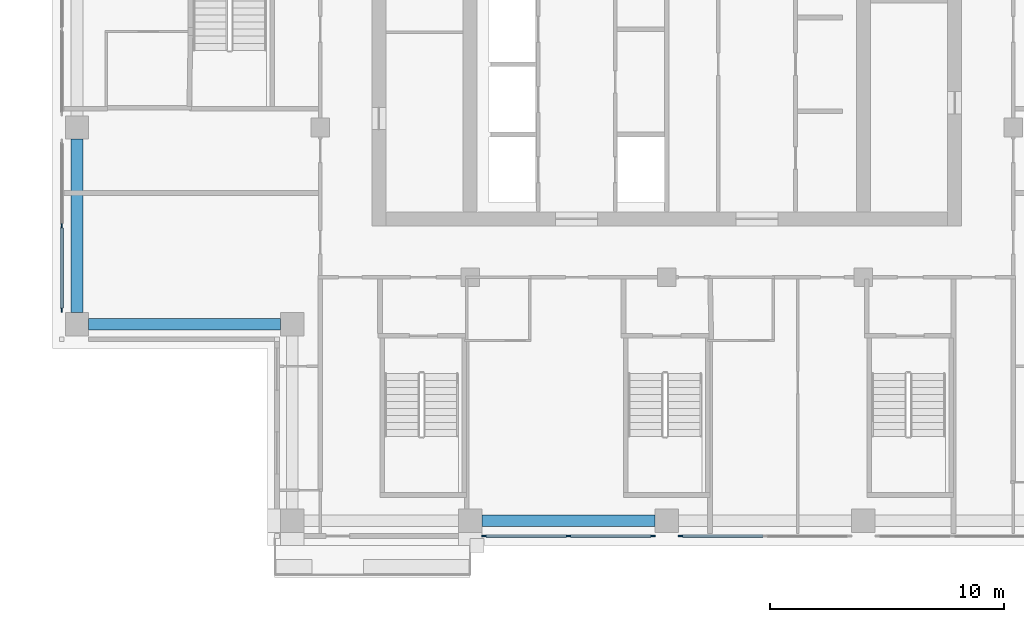
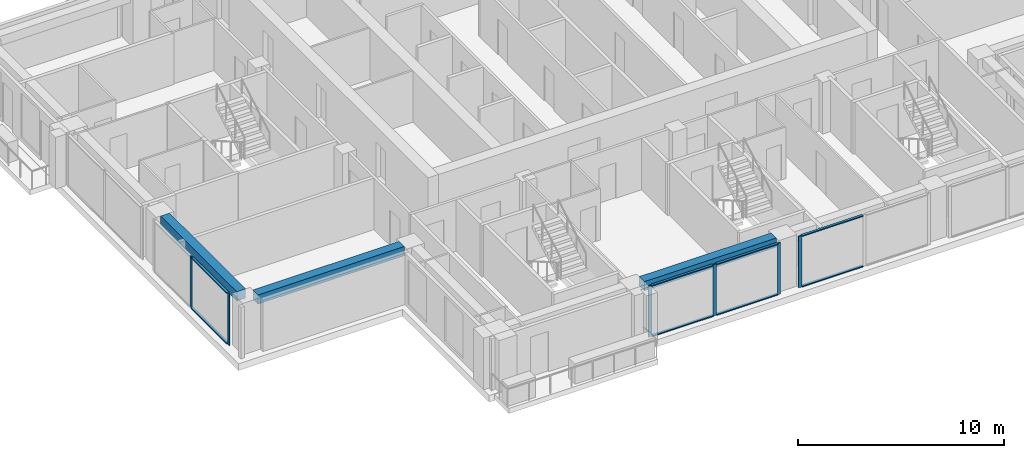
# One storey, part 2 of 16: 14 members, 3 beams, 3 elements without a shape of their own.
"""IFC4 building model written with IfcOpenShell, lengths in metres."""

from ifc_helpers import new_model, si_unit, direction, frame, origin, origin_2d, place, context, subcontext, project, spatial, rectangle, extrude, material, material_profile, profile_set, type_object, element, aggregate, save


model = new_model("IFC4")

# Units and contexts
model_context = context("Model", 3, precision=1e-05, world=origin(), true_north=direction((0.0, 1.0)))
body_context = subcontext(model_context, "Body", "Model", "MODEL_VIEW")
ifc_project = project(units=[si_unit("LENGTHUNIT", "METRE"), si_unit("AREAUNIT", "SQUARE_METRE"), si_unit("VOLUMEUNIT", "CUBIC_METRE"), si_unit("PLANEANGLEUNIT", "RADIAN"), si_unit("MASSUNIT", "GRAM", prefix="KILO")], contexts=[model_context])

# Site, building, storey
site_placement = place(None, origin())
site = spatial("IfcSite", under=ifc_project, at=site_placement, CompositionType="ELEMENT")
building_placement = place(site_placement, origin())
building = spatial("IfcBuilding", under=site, at=building_placement, Name="Vermilion Ogive Tower", CompositionType="ELEMENT")
storey_placement = place(building_placement, frame((0.0, 0.0, 179.0)))
storey = spatial("IfcBuildingStorey", under=building, at=storey_placement, Name="L46", CompositionType="ELEMENT", Elevation=179.0)

# Curtain wall, members
ifc_material_1 = material(Name="Low-iron laminated glazing in aluminium frame", Category="aluminium")
curtain_wall_type = type_object("IfcCurtainWallType", Name="Curtain wall CW7", PredefinedType="NOTDEFINED", material=ifc_material_1)
curtain_wall_1_placement = place(storey_placement, origin())
curtain_wall_1 = element("IfcCurtainWall", 1, at=curtain_wall_1_placement, inside=storey, type_object=curtain_wall_type, Name="Glazed skin S2", PredefinedType="NOTDEFINED")
ifc_material_2 = material(Name="Aluminium mullion", Category="aluminium")
ifc_material_profile_1 = material_profile(ifc_material_2, rectangle(XDim=0.06005859375, YDim=0.179931640625, at=origin_2d()), Name="AL 60x180")
ifc_profile_set_1 = profile_set([ifc_material_profile_1], Name="Aluminium mullion")
member_type_1 = type_object("IfcMemberType", Name="CW7 mullion 60x180", PredefinedType="MULLION", material=ifc_profile_set_1)
member_1_placement = place(storey_placement, frame((-7.81005859375, -21.64990234375, 0.0), z_axis=(0.0, 0.0, 1.0), x_axis=(0.0, 1.0, 0.0)))
member_1 = element("IfcMember", 2, at=member_1_placement, type_object=member_type_1, Name="CW7-S2 mullion 1", PredefinedType="MULLION", context=body_context, shape_type="SweptSolid", body=[
    extrude(rectangle(XDim=0.06005859375, YDim=0.179931640625, at=origin_2d()), origin(), (0.0, 0.0, 1.0), 3.050048828125),
])
member_2_placement = place(storey_placement, frame((-4.199951171875, -21.64990234375, 0.0), z_axis=(0.0, 0.0, 1.0), x_axis=(0.0, 1.0, 0.0)))
member_2 = element("IfcMember", 3, at=member_2_placement, type_object=member_type_1, Name="CW7-S2 mullion 2", PredefinedType="MULLION", context=body_context, shape_type="SweptSolid", body=[
    extrude(rectangle(XDim=0.06005859375, YDim=0.179931640625, at=origin_2d()), origin(), (0.0, 0.0, 1.0), 3.050048828125),
])
member_3_placement = place(storey_placement, frame((-0.590087890625, -21.64990234375, 0.0), z_axis=(0.0, 0.0, 1.0), x_axis=(0.0, 1.0, 0.0)))
member_3 = element("IfcMember", 4, at=member_3_placement, type_object=member_type_1, Name="CW7-S2 mullion 3", PredefinedType="MULLION", context=body_context, shape_type="SweptSolid", body=[
    extrude(rectangle(XDim=0.06005859375, YDim=0.179931640625, at=origin_2d()), origin(), (0.0, 0.0, 1.0), 3.050048828125),
])

# Curtain wall, member
curtain_wall_2_placement = place(storey_placement, origin())
curtain_wall_2 = element("IfcCurtainWall", 5, at=curtain_wall_2_placement, inside=storey, type_object=curtain_wall_type, Name="Glazed skin S3", PredefinedType="NOTDEFINED")
member_4_placement = place(storey_placement, frame((0.590087890625, -21.64990234375, 0.0), z_axis=(0.0, 0.0, 1.0), x_axis=(0.0, 1.0, 0.0)))
member_4 = element("IfcMember", 6, at=member_4_placement, type_object=member_type_1, Name="CW7-S3 mullion 1", PredefinedType="MULLION", context=body_context, shape_type="SweptSolid", body=[
    extrude(rectangle(XDim=0.06005859375, YDim=0.179931640625, at=origin_2d()), origin(), (0.0, 0.0, 1.0), 3.050048828125),
])

# Curtain wall, members
curtain_wall_3_placement = place(storey_placement, origin())
curtain_wall_3 = element("IfcCurtainWall", 7, at=curtain_wall_3_placement, inside=storey, type_object=curtain_wall_type, Name="Glazed skin W3", PredefinedType="NOTDEFINED")
member_5_placement = place(storey_placement, frame((-25.85009765625, -8.39990234375, 0.0), z_axis=(0.0, 0.0, 1.0), x_axis=(1.0, 0.0, 0.0)))
member_5 = element("IfcMember", 8, at=member_5_placement, type_object=member_type_1, Name="CW7-W3 mullion 2", PredefinedType="MULLION", context=body_context, shape_type="SweptSolid", body=[
    extrude(rectangle(XDim=0.06005859375, YDim=0.179931640625, at=origin_2d()), origin(), (0.0, 0.0, 1.0), 3.050048828125),
])
member_6_placement = place(storey_placement, frame((-25.85009765625, -12.010009765625, 0.0), z_axis=(0.0, 0.0, 1.0), x_axis=(1.0, 0.0, 0.0)))
member_6 = element("IfcMember", 9, at=member_6_placement, type_object=member_type_1, Name="CW7-W3 mullion 3", PredefinedType="MULLION", context=body_context, shape_type="SweptSolid", body=[
    extrude(rectangle(XDim=0.06005859375, YDim=0.179931640625, at=origin_2d()), origin(), (0.0, 0.0, 1.0), 3.050048828125),
])

# Member
ifc_material_3 = material(Name="Aluminium transom", Category="aluminium")
ifc_material_profile_2 = material_profile(ifc_material_3, rectangle(XDim=0.139892578125, YDim=0.06005859375, at=origin_2d()), Name="AL 60x140")
ifc_profile_set_2 = profile_set([ifc_material_profile_2], Name="Aluminium transom")
member_type_2 = type_object("IfcMemberType", Name="CW7 transom 60x140", PredefinedType="USERDEFINED", material=ifc_profile_set_2)
member_7_placement = place(storey_placement, frame((-7.719970703125, -21.64990234375, 0.030029296875), z_axis=(1.0, 0.0, 0.0), x_axis=(0.0, 1.0, 0.0)))
member_7 = element("IfcMember", 10, at=member_7_placement, type_object=member_type_2, Name="CW7-S2 transom 1.1", ObjectType="TRANSOM", PredefinedType="USERDEFINED", context=body_context, shape_type="SweptSolid", body=[
    extrude(rectangle(XDim=0.139892578125, YDim=0.06005859375, at=origin_2d()), origin(), (0.0, 0.0, 1.0), 3.429931640625),
])

member_8_placement = place(storey_placement, frame((-7.719970703125, -21.64990234375, 3.02001953125), z_axis=(1.0, 0.0, 0.0), x_axis=(0.0, 1.0, 0.0)))
member_8 = element("IfcMember", 11, at=member_8_placement, type_object=member_type_2, Name="CW7-S2 transom 1.2", ObjectType="TRANSOM", PredefinedType="USERDEFINED", context=body_context, shape_type="SweptSolid", body=[
    extrude(rectangle(XDim=0.139892578125, YDim=0.06005859375, at=origin_2d()), origin(), (0.0, 0.0, 1.0), 3.429931640625),
])

member_9_placement = place(storey_placement, frame((-4.110107421875, -21.64990234375, 0.030029296875), z_axis=(1.0, 0.0, 0.0), x_axis=(0.0, 1.0, 0.0)))
member_9 = element("IfcMember", 12, at=member_9_placement, type_object=member_type_2, Name="CW7-S2 transom 2.1", ObjectType="TRANSOM", PredefinedType="USERDEFINED", context=body_context, shape_type="SweptSolid", body=[
    extrude(rectangle(XDim=0.139892578125, YDim=0.06005859375, at=origin_2d()), origin(), (0.0, 0.0, 1.0), 3.43017578125),
])

member_10_placement = place(storey_placement, frame((-4.110107421875, -21.64990234375, 3.02001953125), z_axis=(1.0, 0.0, 0.0), x_axis=(0.0, 1.0, 0.0)))
member_10 = element("IfcMember", 13, at=member_10_placement, type_object=member_type_2, Name="CW7-S2 transom 2.2", ObjectType="TRANSOM", PredefinedType="USERDEFINED", context=body_context, shape_type="SweptSolid", body=[
    extrude(rectangle(XDim=0.139892578125, YDim=0.06005859375, at=origin_2d()), origin(), (0.0, 0.0, 1.0), 3.43017578125),
])

aggregate(curtain_wall_1, [member_1, member_2, member_3, member_7, member_8, member_9, member_10])

member_11_placement = place(storey_placement, frame((0.679931640625, -21.64990234375, 0.030029296875), z_axis=(1.0, 0.0, 0.0), x_axis=(0.0, 1.0, 0.0)))
member_11 = element("IfcMember", 14, at=member_11_placement, type_object=member_type_2, Name="CW7-S3 transom 1.1", ObjectType="TRANSOM", PredefinedType="USERDEFINED", context=body_context, shape_type="SweptSolid", body=[
    extrude(rectangle(XDim=0.139892578125, YDim=0.06005859375, at=origin_2d()), origin(), (0.0, 0.0, 1.0), 3.43017578125),
])

member_12_placement = place(storey_placement, frame((0.679931640625, -21.64990234375, 3.02001953125), z_axis=(1.0, 0.0, 0.0), x_axis=(0.0, 1.0, 0.0)))
member_12 = element("IfcMember", 15, at=member_12_placement, type_object=member_type_2, Name="CW7-S3 transom 1.2", ObjectType="TRANSOM", PredefinedType="USERDEFINED", context=body_context, shape_type="SweptSolid", body=[
    extrude(rectangle(XDim=0.139892578125, YDim=0.06005859375, at=origin_2d()), origin(), (0.0, 0.0, 1.0), 3.43017578125),
])

aggregate(curtain_wall_2, [member_4, member_11, member_12])

member_13_placement = place(storey_placement, frame((-25.85009765625, -8.489990234375, 0.030029296875), z_axis=(0.0, -1.0, 0.0), x_axis=(1.0, 0.0, 0.0)))
member_13 = element("IfcMember", 16, at=member_13_placement, type_object=member_type_2, Name="CW7-W3 transom 2.1", ObjectType="TRANSOM", PredefinedType="USERDEFINED", context=body_context, shape_type="SweptSolid", body=[
    extrude(rectangle(XDim=0.139892578125, YDim=0.06005859375, at=origin_2d()), origin(), (0.0, 0.0, 1.0), 3.429931640625),
])

member_14_placement = place(storey_placement, frame((-25.85009765625, -8.489990234375, 3.02001953125), z_axis=(0.0, -1.0, 0.0), x_axis=(1.0, 0.0, 0.0)))
member_14 = element("IfcMember", 17, at=member_14_placement, type_object=member_type_2, Name="CW7-W3 transom 2.2", ObjectType="TRANSOM", PredefinedType="USERDEFINED", context=body_context, shape_type="SweptSolid", body=[
    extrude(rectangle(XDim=0.139892578125, YDim=0.06005859375, at=origin_2d()), origin(), (0.0, 0.0, 1.0), 3.429931640625),
])

aggregate(curtain_wall_3, [member_5, member_6, member_13, member_14])

# Beams
ifc_material_4 = material(Name="Concrete B45", Category="concrete")
ifc_material_profile_3 = material_profile(ifc_material_4, rectangle(XDim=0.5, YDim=0.550048828125, at=origin_2d()), Name="500 x 550")
ifc_profile_set_3 = profile_set([ifc_material_profile_3], Name="Concrete B45")
beam_type = type_object("IfcBeamType", Name="Edge beam 500 x 550 B45", PredefinedType="BEAM", material=ifc_profile_set_3)
beam_1_placement = place(storey_placement, frame((-7.89990234375, -21.0, 2.77490234375), z_axis=(1.0, 0.0, 0.0), x_axis=(0.0, 1.0, 0.0)))
element("IfcBeam", 18, at=beam_1_placement, inside=storey, type_object=beam_type, Name="L46-EB-2", PredefinedType="BEAM", context=body_context, shape_type="SweptSolid", body=[
    extrude(rectangle(XDim=0.5, YDim=0.550048828125, at=origin_2d()), origin(), (0.0, 0.0, 1.0), 7.39990234375),
])
beam_2_placement = place(storey_placement, frame((-25.199951171875, -4.699951171875, 2.77490234375), z_axis=(0.0, -1.0, 0.0), x_axis=(1.0, 0.0, 0.0)))
element("IfcBeam", 19, at=beam_2_placement, inside=storey, type_object=beam_type, Name="L46-EB-16", PredefinedType="BEAM", context=body_context, shape_type="SweptSolid", body=[
    extrude(rectangle(XDim=0.5, YDim=0.550048828125, at=origin_2d()), origin(), (0.0, 0.0, 1.0), 7.400146484375),
])
beam_3_placement = place(storey_placement, frame((-24.699951171875, -12.60009765625, 2.77490234375), z_axis=(1.0, 0.0, 0.0), x_axis=(0.0, 1.0, 0.0)))
element("IfcBeam", 20, at=beam_3_placement, inside=storey, type_object=beam_type, Name="L46-EB-17", PredefinedType="BEAM", context=body_context, shape_type="SweptSolid", body=[
    extrude(rectangle(XDim=0.5, YDim=0.550048828125, at=origin_2d()), origin(), (0.0, 0.0, 1.0), 8.199951171875),
])

save(model, "model.ifc")
